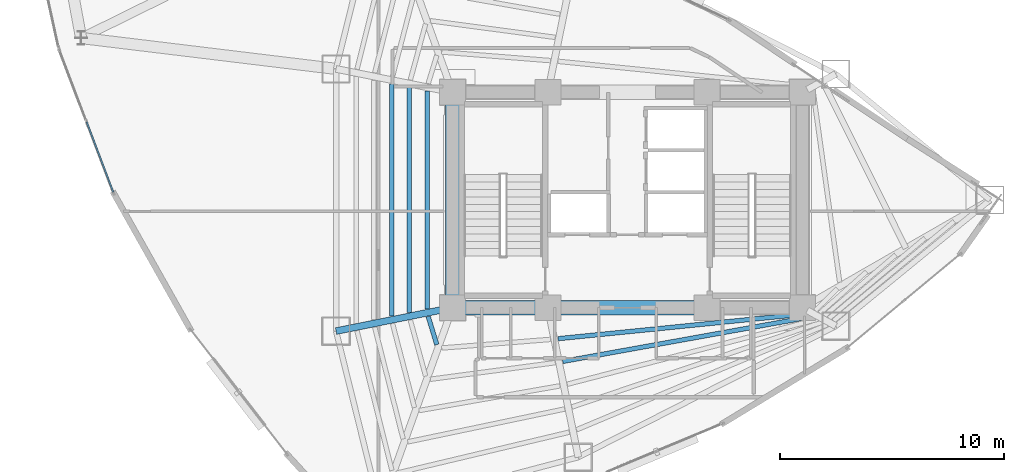
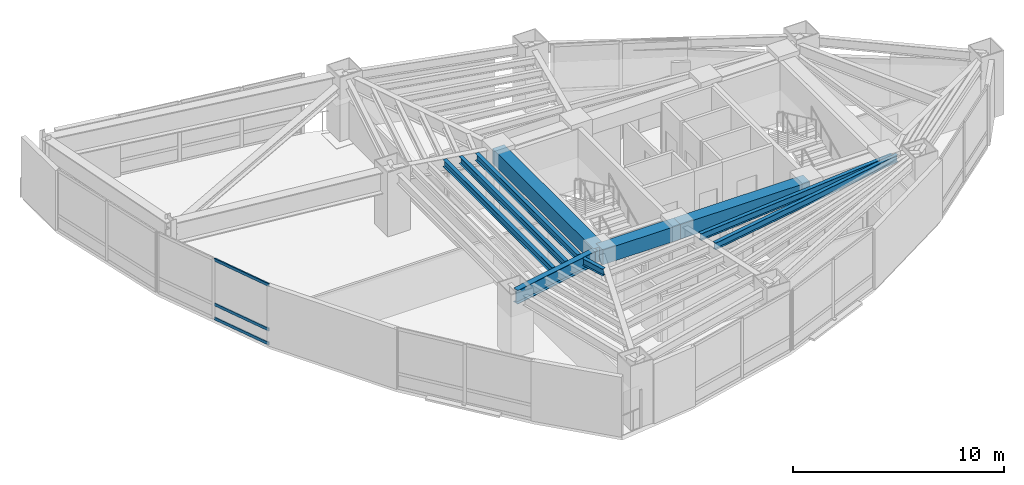
# One storey, part 7 of 23: 10 beams, 3 members, 1 element without a shape of its own.
"""IFC4 building model written with IfcOpenShell, lengths in metres."""

from ifc_helpers import new_model, si_unit, direction, frame, origin, origin_2d, place, context, subcontext, project, spatial, rectangle, hollow_rectangle, i_section, extrude, material, layer, layer_set, material_profile, profile_set, type_object, element, aggregate, save


model = new_model("IFC4")

# Units and contexts
model_context = context("Model", 3, precision=1e-05, world=origin(), true_north=direction((0.0, 1.0)))
body_context = subcontext(model_context, "Body", "Model", "MODEL_VIEW")
ifc_project = project(units=[si_unit("LENGTHUNIT", "METRE"), si_unit("AREAUNIT", "SQUARE_METRE"), si_unit("VOLUMEUNIT", "CUBIC_METRE"), si_unit("PLANEANGLEUNIT", "RADIAN"), si_unit("MASSUNIT", "GRAM", prefix="KILO")], contexts=[model_context])

# Site, building, storey
site_placement = place(None, origin())
site = spatial("IfcSite", under=ifc_project, at=site_placement, CompositionType="ELEMENT")
building_placement = place(site_placement, origin())
building = spatial("IfcBuilding", under=site, at=building_placement, Name="Menara Vayukalpa", CompositionType="ELEMENT")
storey_placement = place(building_placement, frame((0.0, 0.0, 107.699951171875)))
storey = spatial("IfcBuildingStorey", under=building, at=storey_placement, Name="L26", CompositionType="ELEMENT", Elevation=107.699951171875)

# Beams
ifc_material_1 = material(Name="Concrete C60/75", Category="concrete")
ifc_material_profile_1 = material_profile(ifc_material_1, rectangle(XDim=0.64990234375, YDim=0.85009765625, at=origin_2d()), Name="RC 650x850")
ifc_profile_set_1 = profile_set([ifc_material_profile_1], Name="Concrete C60/75")
beam_type_1 = type_object("IfcBeamType", Name="BM-CB1", PredefinedType="BEAM", material=ifc_profile_set_1)
beam_1_placement = place(storey_placement, frame((17.800048828125, 17.199951171875, 3.045166015625), z_axis=(1.0, 0.0, 0.0), x_axis=(0.0, 1.0, 0.0)))
element("IfcBeam", 1, at=beam_1_placement, inside=storey, type_object=beam_type_1, Name="L26 Core Tie Beam CBR1", PredefinedType="BEAM", context=body_context, shape_type="SweptSolid", body=[
    extrude(rectangle(XDim=0.64990234375, YDim=0.85009765625, at=origin_2d()), origin(), (0.0, 0.0, 1.0), 4.25),
])
beam_2_placement = place(storey_placement, frame((22.050048828125, 17.199951171875, 3.045166015625), z_axis=(1.0, 0.0, 0.0), x_axis=(0.0, 1.0, 0.0)))
element("IfcBeam", 2, at=beam_2_placement, inside=storey, type_object=beam_type_1, Name="L26 Core Tie Beam CBR2", PredefinedType="BEAM", context=body_context, shape_type="SweptSolid", body=[
    extrude(rectangle(XDim=0.64990234375, YDim=0.85009765625, at=origin_2d()), origin(), (0.0, 0.0, 1.0), 7.099853515625),
])
beam_3_placement = place(storey_placement, frame((17.800048828125, 17.199951171875, 3.045166015625), z_axis=(0.0, 1.0, 0.0), x_axis=(-1.0, 0.0, 0.0)))
element("IfcBeam", 3, at=beam_3_placement, inside=storey, type_object=beam_type_1, Name="L26 Core Tie Beam CBR7", PredefinedType="BEAM", context=body_context, shape_type="SweptSolid", body=[
    extrude(rectangle(XDim=0.64990234375, YDim=0.85009765625, at=origin_2d()), origin(), (0.0, 0.0, 1.0), 9.60009765625),
])
ifc_material_2 = material(Name="Steel S355", Category="steel")
ifc_material_profile_2 = material_profile(ifc_material_2, i_section(OverallWidth=0.300048828125, OverallDepth=0.800048828125, WebThickness=0.013916015625, FlangeThickness=0.02587890625, at=origin_2d()), Name="WF 800x300x14x26")
ifc_profile_set_2 = profile_set([ifc_material_profile_2], Name="Steel S355")
beam_type_2 = type_object("IfcBeamType", Name="BM-PG3", PredefinedType="BEAM", material=ifc_profile_set_2)
beam_4_placement = place(storey_placement, frame((17.554931640625, 17.150634765625, 3.070068359375), z_axis=(-0.980324984906, -0.197390283373, 0.0), x_axis=(0.197390283373, -0.980324984906, 0.0)))
element("IfcBeam", 4, at=beam_4_placement, inside=storey, type_object=beam_type_2, Name="L26 Primary Radial Girder RG06", PredefinedType="BEAM", context=body_context, shape_type="SweptSolid", body=[
    extrude(i_section(OverallWidth=0.300048828125, OverallDepth=0.800048828125, WebThickness=0.013916015625, FlangeThickness=0.02587890625, at=origin_2d()), origin(), (0.0, 0.0, 1.0), 5.047607421875),
])
ifc_material_3 = material(Name="Steel S355", Category="steel")
ifc_material_profile_3 = material_profile(ifc_material_3, i_section(OverallWidth=0.199951171875, OverallDepth=0.39990234375, WebThickness=0.008056640625, FlangeThickness=0.012939453125, at=origin_2d()), Name="WF 400x200x8x13")
ifc_profile_set_3 = profile_set([ifc_material_profile_3], Name="Steel S355")
beam_type_3 = type_object("IfcBeamType", Name="BM-SJ2", PredefinedType="JOIST", material=ifc_profile_set_3)
beam_5_placement = place(storey_placement, frame((16.664306640625, 26.858642578125, 3.27001953125), z_axis=(0.0, -1.0, 0.0), x_axis=(1.0, 0.0, 0.0)))
element("IfcBeam", 5, at=beam_5_placement, inside=storey, type_object=beam_type_3, Name="L26 Secondary Floor Joist SJ05-1", PredefinedType="JOIST", context=body_context, shape_type="SweptSolid", body=[
    extrude(i_section(OverallWidth=0.199951171875, OverallDepth=0.39990234375, WebThickness=0.008056640625, FlangeThickness=0.012939453125, at=origin_2d()), origin(), (0.0, 0.0, 1.0), 9.71728515625),
])
beam_6_placement = place(storey_placement, frame((15.87255859375, 27.01806640625, 3.27001953125), z_axis=(0.0, -1.0, 0.0), x_axis=(1.0, 0.0, 0.0)))
element("IfcBeam", 6, at=beam_6_placement, inside=storey, type_object=beam_type_3, Name="L26 Secondary Floor Joist SJ05-2", PredefinedType="JOIST", context=body_context, shape_type="SweptSolid", body=[
    extrude(i_section(OverallWidth=0.199951171875, OverallDepth=0.39990234375, WebThickness=0.008056640625, FlangeThickness=0.012939453125, at=origin_2d()), origin(), (0.0, 0.0, 1.0), 10.0361328125),
])
beam_7_placement = place(storey_placement, frame((15.080810546875, 27.177490234375, 3.27001953125), z_axis=(0.0, -1.0, 0.0), x_axis=(1.0, 0.0, 0.0)))
element("IfcBeam", 7, at=beam_7_placement, inside=storey, type_object=beam_type_3, Name="L26 Secondary Floor Joist SJ05-3", PredefinedType="JOIST", context=body_context, shape_type="SweptSolid", body=[
    extrude(i_section(OverallWidth=0.199951171875, OverallDepth=0.39990234375, WebThickness=0.008056640625, FlangeThickness=0.012939453125, at=origin_2d()), origin(), (0.0, 0.0, 1.0), 10.35498046875),
])
beam_8_placement = place(storey_placement, frame((16.714111328125, 16.808837890625, 3.27001953125), z_axis=(0.292651981473, -0.956219021846, 0.0), x_axis=(0.956219021846, 0.292651981473, 0.0)))
element("IfcBeam", 8, at=beam_8_placement, inside=storey, type_object=beam_type_3, Name="L26 Secondary Floor Joist SJ06-1", PredefinedType="JOIST", context=body_context, shape_type="SweptSolid", body=[
    extrude(i_section(OverallWidth=0.199951171875, OverallDepth=0.39990234375, WebThickness=0.008056640625, FlangeThickness=0.012939453125, at=origin_2d()), origin(), (0.0, 0.0, 1.0), 1.31640625),
])
beam_9_placement = place(storey_placement, frame((22.50439453125, 15.81591796875, 3.27001953125), z_axis=(0.995012836574, 0.099746955103, 0.0), x_axis=(-0.099746955103, 0.995012836574, 0.0)))
element("IfcBeam", 9, at=beam_9_placement, inside=storey, type_object=beam_type_3, Name="L26 Secondary Floor Joist SJ08-1", PredefinedType="JOIST", context=body_context, shape_type="SweptSolid", body=[
    extrude(i_section(OverallWidth=0.199951171875, OverallDepth=0.39990234375, WebThickness=0.008056640625, FlangeThickness=0.012939453125, at=origin_2d()), origin(), (0.0, 0.0, 1.0), 11.2294921875),
])
beam_10_placement = place(storey_placement, frame((22.7119140625, 14.801513671875, 3.27001953125), z_axis=(0.984205443357, 0.177030068819, 0.0), x_axis=(-0.177030068819, 0.984205443357, 0.0)))
element("IfcBeam", 10, at=beam_10_placement, inside=storey, type_object=beam_type_3, Name="L26 Secondary Floor Joist SJ08-2", PredefinedType="JOIST", context=body_context, shape_type="SweptSolid", body=[
    extrude(i_section(OverallWidth=0.199951171875, OverallDepth=0.39990234375, WebThickness=0.008056640625, FlangeThickness=0.012939453125, at=origin_2d()), origin(), (0.0, 0.0, 1.0), 11.349853515625),
])

# Curtain wall, members
ifc_material_4 = material(Name="Anodised Terracotta Aluminium Alloy 6063-T6", Category="masonry")
ifc_layer = layer(ifc_material_4, 0.179931640625)
ifc_layer_set = layer_set([ifc_layer], Name="Anodised Terracotta Aluminium Alloy 6063-T6")
curtain_wall_type = type_object("IfcCurtainWallType", Name="CW-CW4", PredefinedType="USERDEFINED", material=ifc_layer_set)
curtain_wall_placement = place(storey_placement, origin())
curtain_wall = element("IfcCurtainWall", 11, at=curtain_wall_placement, inside=storey, type_object=curtain_wall_type, Name="L26 Sky Bar Cantilever Glazed Curtain Wall CW4 11", ObjectType="UNITISED", PredefinedType="USERDEFINED")
ifc_material_5 = material(Name="Anodised Terracotta Aluminium Alloy 6063-T6", Category="masonry")
ifc_material_profile_4 = material_profile(ifc_material_5, hollow_rectangle(XDim=0.070068359375, YDim=0.1650390625, WallThickness=0.00390625, at=origin_2d()), Name="ALU 70x165x4")
ifc_profile_set_4 = profile_set([ifc_material_profile_4], Name="Anodised Terracotta Aluminium Alloy 6063-T6")
member_type = type_object("IfcMemberType", Name="CWT-CW4", PredefinedType="USERDEFINED", material=ifc_profile_set_4)
member_1_placement = place(storey_placement, frame((1.4853515625, 25.48388671875, 0.03515625), z_axis=(0.354801377627, -0.934941700019, 0.0), x_axis=(0.934941700019, 0.354801377627, 0.0)))
member_1 = element("IfcMember", 12, at=member_1_placement, type_object=member_type, Name="CW4 transom 2.1", ObjectType="TRANSOM", PredefinedType="USERDEFINED", context=body_context, shape_type="SweptSolid", body=[
    extrude(hollow_rectangle(XDim=0.070068359375, YDim=0.1650390625, WallThickness=0.00390625, at=origin_2d()), origin(), (0.0, 0.0, 1.0), 3.35107421875),
])
member_2_placement = place(storey_placement, frame((1.4853515625, 25.48388671875, 0.85009765625), z_axis=(0.354801377627, -0.934941700019, 0.0), x_axis=(0.934941700019, 0.354801377627, 0.0)))
member_2 = element("IfcMember", 13, at=member_2_placement, type_object=member_type, Name="CW4 transom 2.2", ObjectType="TRANSOM", PredefinedType="USERDEFINED", context=body_context, shape_type="SweptSolid", body=[
    extrude(hollow_rectangle(XDim=0.070068359375, YDim=0.1650390625, WallThickness=0.00390625, at=origin_2d()), origin(), (0.0, 0.0, 1.0), 3.35107421875),
])
member_3_placement = place(storey_placement, frame((1.4853515625, 25.48388671875, 3.43505859375), z_axis=(0.354801377627, -0.934941700019, 0.0), x_axis=(0.934941700019, 0.354801377627, 0.0)))
member_3 = element("IfcMember", 14, at=member_3_placement, type_object=member_type, Name="CW4 transom 2.3", ObjectType="TRANSOM", PredefinedType="USERDEFINED", context=body_context, shape_type="SweptSolid", body=[
    extrude(hollow_rectangle(XDim=0.070068359375, YDim=0.1650390625, WallThickness=0.00390625, at=origin_2d()), origin(), (0.0, 0.0, 1.0), 3.35107421875),
])
aggregate(curtain_wall, [member_1, member_2, member_3])

save(model, "model.ifc")
